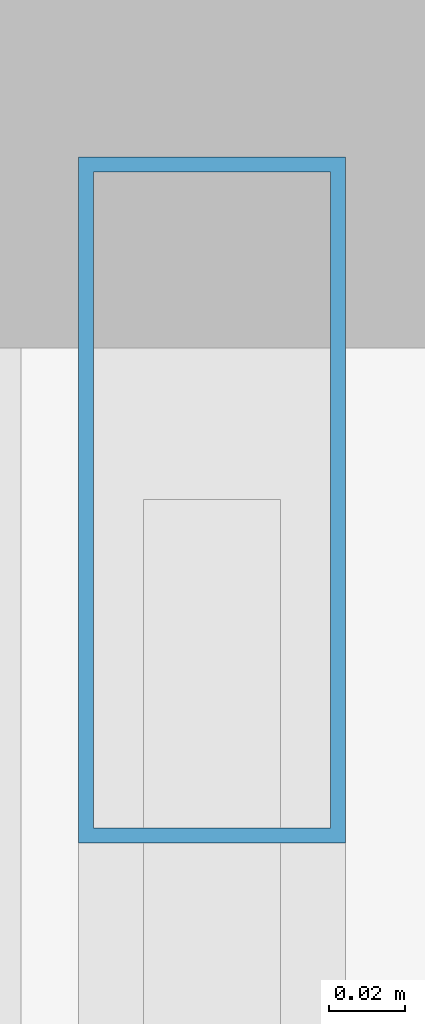
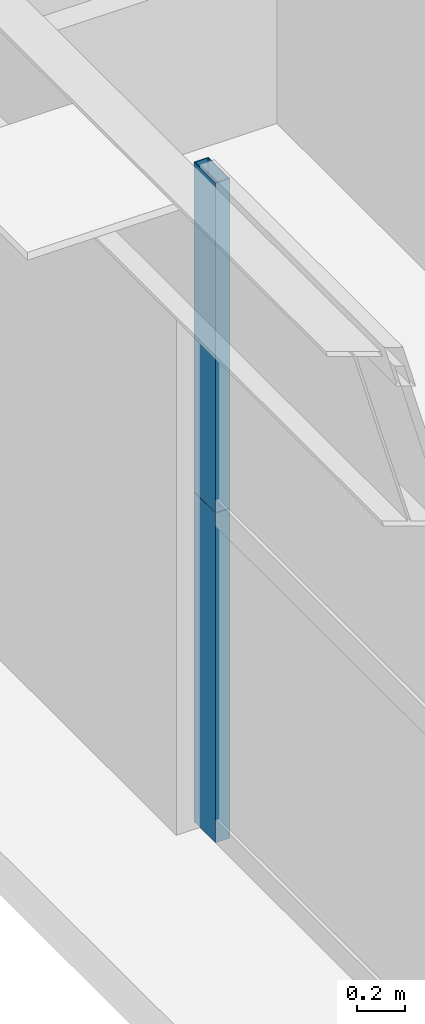
# One storey, part 26 of 46: 2 members, 1 element without a shape of its own.
"""IFC4 building model written with IfcOpenShell, lengths in metres."""

from ifc_helpers import new_model, si_unit, direction, frame, origin, origin_2d, place, context, subcontext, project, spatial, hollow_rectangle, extrude, source, transform, mapped, material, layer, layer_set, material_profile, profile_set, type_object, element, aggregate, save


model = new_model("IFC4")

# Units and contexts
model_context = context("Model", 3, precision=1e-05, world=origin(), true_north=direction((0.0, 1.0)))
body_context = subcontext(model_context, "Body", "Model", "MODEL_VIEW")
ifc_project = project(units=[si_unit("LENGTHUNIT", "METRE"), si_unit("AREAUNIT", "SQUARE_METRE"), si_unit("VOLUMEUNIT", "CUBIC_METRE"), si_unit("PLANEANGLEUNIT", "RADIAN"), si_unit("MASSUNIT", "GRAM", prefix="KILO"), si_unit("THERMODYNAMICTEMPERATUREUNIT", "KELVIN"), si_unit("POWERUNIT", "WATT")], contexts=[model_context])

# Site, building, storey
site_placement = place(None, origin())
site = spatial("IfcSite", under=ifc_project, at=site_placement, CompositionType="ELEMENT")
building_placement = place(site_placement, origin())
building = spatial("IfcBuilding", under=site, at=building_placement, Name="Yuzanri Waterfront Tower", CompositionType="ELEMENT")
storey_placement = place(building_placement, frame((0.0, 0.0, 56.800048828125)))
storey = spatial("IfcBuildingStorey", under=building, at=storey_placement, Name="L14", CompositionType="ELEMENT", Elevation=56.800048828125)

# Curtain wall, members
ifc_material_1 = material(Name="Anodized Architectural Bronze", Category="metal")
ifc_layer = layer(ifc_material_1, 0.159912109375)
ifc_layer_set = layer_set([ifc_layer], Name="Anodized Architectural Bronze")
curtain_wall_type = type_object("IfcCurtainWallType", Name="Anodized Bronze Hotel Lower-Tier Recessed Unitized Curtain Wall 8100", PredefinedType="NOTDEFINED", material=ifc_layer_set)
curtain_wall_placement = place(storey_placement, origin())
curtain_wall = element("IfcCurtainWall", 1, at=curtain_wall_placement, inside=storey, type_object=curtain_wall_type, Name="L14 Curtain Wall CW-L14-WR", PredefinedType="NOTDEFINED")
ifc_material_2 = material(Name="Anodized Architectural Bronze", Category="metal")
ifc_material_profile = material_profile(ifc_material_2, hollow_rectangle(XDim=0.070068359375, YDim=0.179931640625, WallThickness=0.00390625, at=origin_2d()), Name="CWM 70x180")
ifc_profile_set = profile_set([ifc_material_profile], Name="Anodized Architectural Bronze")
member_type = type_object("IfcMemberType", Name="Anodized Bronze Standard Curtain-Wall Mullion 70x180", PredefinedType="MULLION", material=ifc_profile_set)
shared_shape = source(origin(), body_context, "Body", "SweptSolid", [
    extrude(hollow_rectangle(XDim=0.070068359375, YDim=0.179931640625, WallThickness=0.00390625, at=origin_2d()), origin(), (0.0, 0.0, 1.0), 1.68798828125),
])
member_1_placement = place(storey_placement, frame((12.050048828125, 43.510009765625, 0.0), z_axis=(0.0, 0.0, 1.0), x_axis=(1.0, 0.0, 0.0)))
member_1 = element("IfcMember", 2, at=member_1_placement, type_object=member_type, Name="CW-L14-WR Lower Mullion 02", PredefinedType="MULLION", context=body_context, shape_type="MappedRepresentation", body=[
    mapped(shared_shape, transform((0.0, 0.0, 0.0), scale=1.0)),
])
member_2_placement = place(storey_placement, frame((12.050048828125, 43.510009765625, 1.69189453125), z_axis=(0.0, 0.0, 1.0), x_axis=(1.0, 0.0, 0.0)))
member_2 = element("IfcMember", 3, at=member_2_placement, type_object=member_type, Name="CW-L14-WR Upper Mullion 02", PredefinedType="MULLION", context=body_context, shape_type="MappedRepresentation", body=[
    mapped(shared_shape, transform((0.0, 0.0, 0.0), scale=1.0)),
])
aggregate(curtain_wall, [member_1, member_2])

save(model, "model.ifc")
